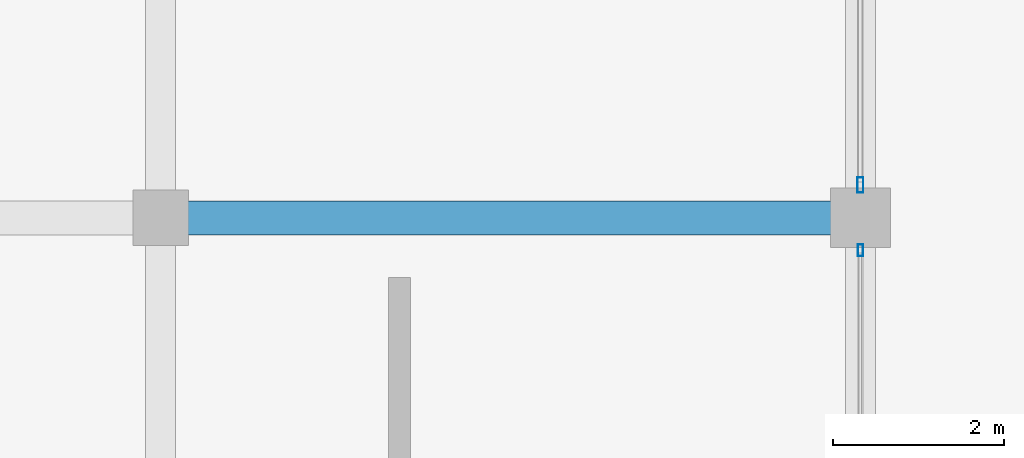
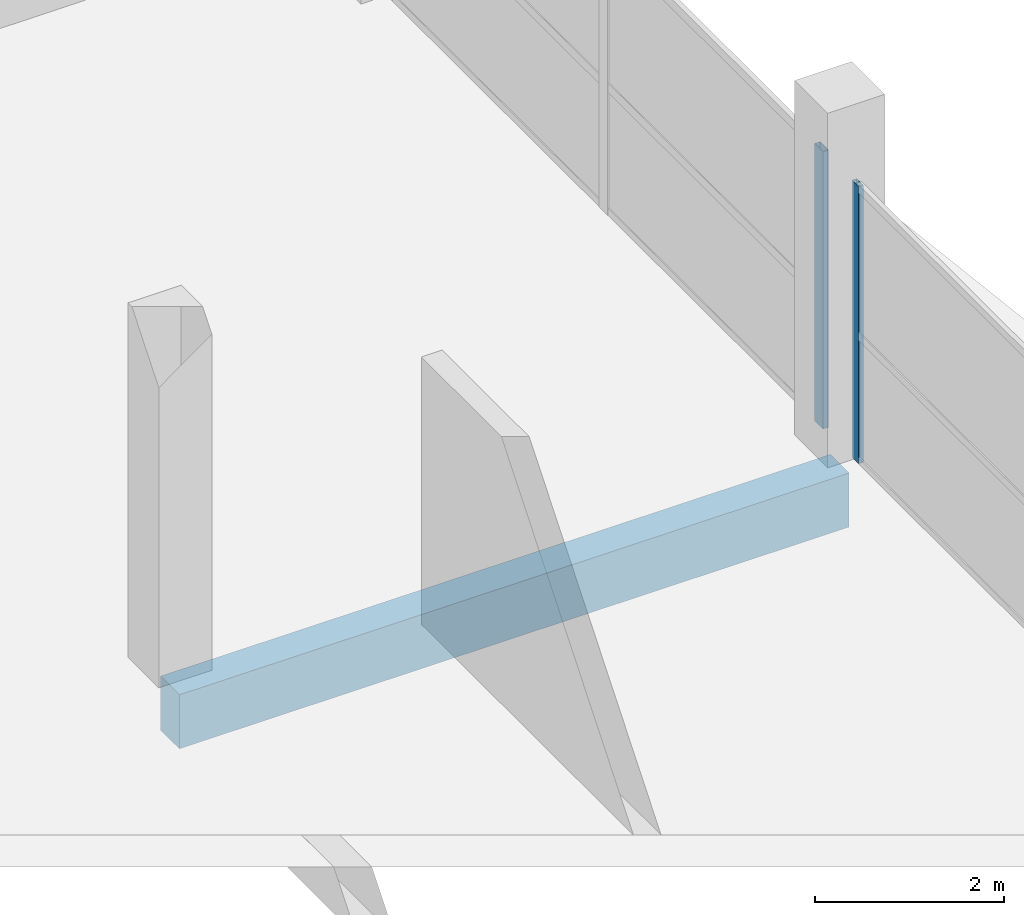
# One storey, part 40 of 69: 2 members, 1 beam, 2 elements without a shape of their own.
"""IFC4 building model written with IfcOpenShell, lengths in metres."""

from ifc_helpers import new_model, si_unit, direction, frame, origin, origin_2d, place, context, subcontext, project, spatial, rectangle, hollow_rectangle, extrude, material, layer, layer_set, material_profile, profile_set, type_object, element, aggregate, save


model = new_model("IFC4")

# Units and contexts
model_context = context("Model", 3, precision=1e-05, world=origin(), true_north=direction((0.0, 1.0)))
body_context = subcontext(model_context, "Body", "Model", "MODEL_VIEW")
ifc_project = project(units=[si_unit("LENGTHUNIT", "METRE"), si_unit("AREAUNIT", "SQUARE_METRE"), si_unit("VOLUMEUNIT", "CUBIC_METRE"), si_unit("PLANEANGLEUNIT", "RADIAN"), si_unit("MASSUNIT", "GRAM", prefix="KILO")], contexts=[model_context])

# Site, building, storey
site_placement = place(None, origin())
site = spatial("IfcSite", under=ifc_project, at=site_placement, CompositionType="ELEMENT")
building_placement = place(site_placement, origin())
building = spatial("IfcBuilding", under=site, at=building_placement, Name="Sillaruma Civic Art Gallery", CompositionType="ELEMENT")
storey_placement = place(building_placement, frame((0.0, 0.0, 42.330078125)))
storey = spatial("IfcBuildingStorey", under=building, at=storey_placement, Name="L08", CompositionType="ELEMENT", Elevation=42.330078125)

# Beam
ifc_material_1 = material(Name="Concrete H35 (35 MPa)", Category="concrete")
ifc_material_profile_1 = material_profile(ifc_material_1, rectangle(XDim=0.39990234375, YDim=0.699951171875, at=origin_2d()), Name="RCB400x700")
ifc_profile_set_1 = profile_set([ifc_material_profile_1], Name="Concrete H35 (35 MPa)")
beam_type = type_object("IfcBeamType", Name="BM-BEAM-RCB400x700", PredefinedType="BEAM", material=ifc_profile_set_1)
beam_placement = place(storey_placement, frame((106.199951171875, 69.300048828125, -0.630126953125), z_axis=(1.0, 0.0, 0.0), x_axis=(0.0, 1.0, 0.0)))
element("IfcBeam", 1, at=beam_placement, inside=storey, type_object=beam_type, Name="Beam BM-04 (L07:8:M-N)", PredefinedType="BEAM", context=body_context, shape_type="SweptSolid", body=[
    extrude(rectangle(XDim=0.39990234375, YDim=0.699951171875, at=origin_2d()), origin(), (0.0, 0.0, 1.0), 8.199951171875),
])

# Curtain wall, member
ifc_material_2 = material(Name="Thermally Broken Extruded Aluminium 6063-T6", Category="aluminium")
ifc_layer_1 = layer(ifc_material_2, 0.139892578125, Name="Thermally Broken Extruded Aluminium 6063-T6")
ifc_layer_set_1 = layer_set([ifc_layer_1], Name="Thermally Broken Extruded Aluminium 6063-T6")
curtain_wall_type_1 = type_object("IfcCurtainWallType", Name="CW-UNI-32", PredefinedType="NOTDEFINED", material=ifc_layer_set_1)
curtain_wall_1_placement = place(storey_placement, origin())
curtain_wall_1 = element("IfcCurtainWall", 2, at=curtain_wall_1_placement, inside=storey, type_object=curtain_wall_type_1, Name="Unitised Curtain Wall CW-32 (CW-L08-EBE-5)", PredefinedType="NOTDEFINED")
ifc_material_profile_2 = material_profile(ifc_material_2, hollow_rectangle(XDim=0.06005859375, YDim=0.139892578125, WallThickness=0.00341796875, at=origin_2d()), Name="CWM60x140")
ifc_profile_set_2 = profile_set([ifc_material_profile_2], Name="Thermally Broken Extruded Aluminium 6063-T6")
member_type_1 = type_object("IfcMemberType", Name="MEM-MUL-CWM60x140", PredefinedType="MULLION", material=ifc_profile_set_2)
member_1_placement = place(storey_placement, frame((114.39990234375, 68.919921875, 0.0), z_axis=(0.0, 0.0, 1.0), x_axis=(-1.0, 0.0, 0.0)))
member_1 = element("IfcMember", 3, at=member_1_placement, type_object=member_type_1, Name="CW-32 mullion 3", PredefinedType="MULLION", context=body_context, shape_type="SweptSolid", body=[
    extrude(hollow_rectangle(XDim=0.06005859375, YDim=0.139892578125, WallThickness=0.00341796875, at=origin_2d()), origin(), (0.0, 0.0, 1.0), 3.58984375),
])
aggregate(curtain_wall_1, [member_1])

ifc_layer_2 = layer(ifc_material_2, 0.179931640625, Name="Thermally Broken Extruded Aluminium 6063-T6")
ifc_layer_set_2 = layer_set([ifc_layer_2], Name="Thermally Broken Extruded Aluminium 6063-T6")
curtain_wall_type_2 = type_object("IfcCurtainWallType", Name="CW-UNI-34", PredefinedType="NOTDEFINED", material=ifc_layer_set_2)
curtain_wall_2_placement = place(storey_placement, origin())
curtain_wall_2 = element("IfcCurtainWall", 4, at=curtain_wall_2_placement, inside=storey, type_object=curtain_wall_type_2, Name="Unitised Curtain Wall CW-34 (CW-L08-EBE-6)", PredefinedType="NOTDEFINED")
ifc_material_profile_3 = material_profile(ifc_material_2, hollow_rectangle(XDim=0.070068359375, YDim=0.179931640625, WallThickness=0.00390625, at=origin_2d()), Name="CWM70x180")
ifc_profile_set_3 = profile_set([ifc_material_profile_3], Name="Thermally Broken Extruded Aluminium 6063-T6")
member_type_2 = type_object("IfcMemberType", Name="MEM-MUL-CWM70x180", PredefinedType="MULLION", material=ifc_profile_set_3)
member_2_placement = place(storey_placement, frame((114.39990234375, 69.68505859375, 0.0), z_axis=(0.0, 0.0, 1.0), x_axis=(-1.0, 0.0, 0.0)))
member_2 = element("IfcMember", 5, at=member_2_placement, type_object=member_type_2, Name="CW-34 mullion 1", PredefinedType="MULLION", context=body_context, shape_type="SweptSolid", body=[
    extrude(hollow_rectangle(XDim=0.070068359375, YDim=0.179931640625, WallThickness=0.00390625, at=origin_2d()), origin(), (0.0, 0.0, 1.0), 3.58984375),
])
aggregate(curtain_wall_2, [member_2])

save(model, "model.ifc")
